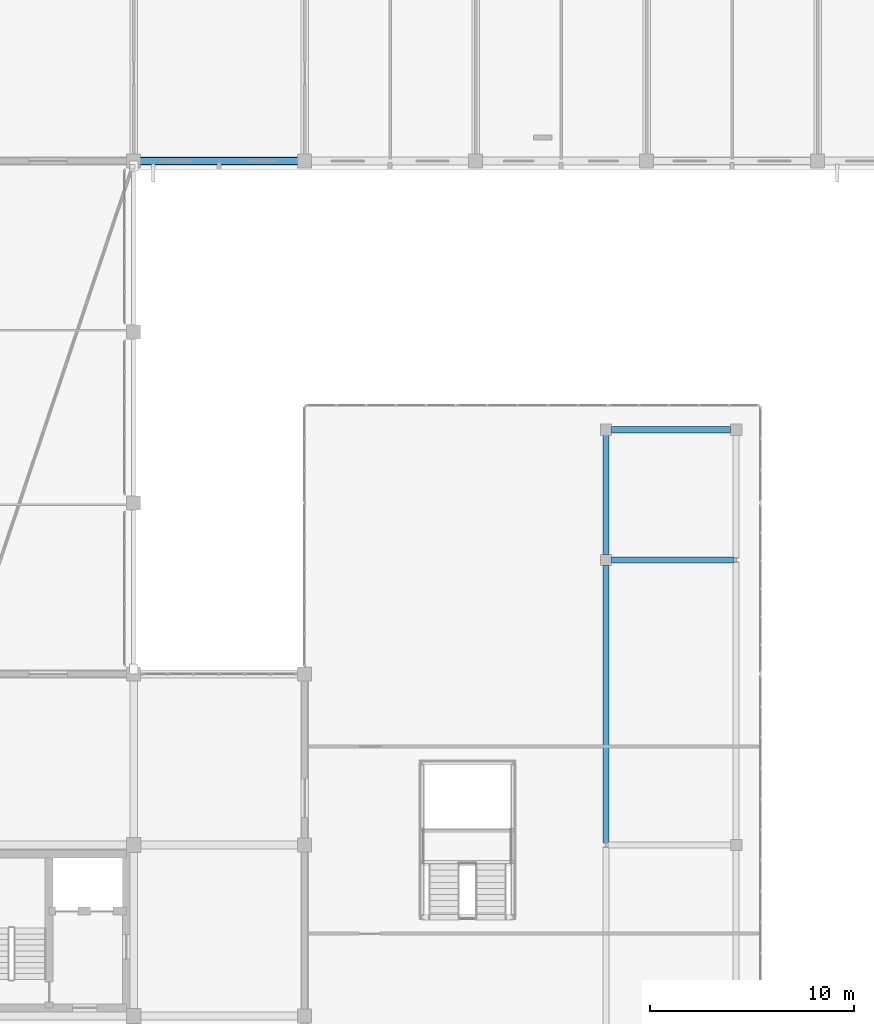
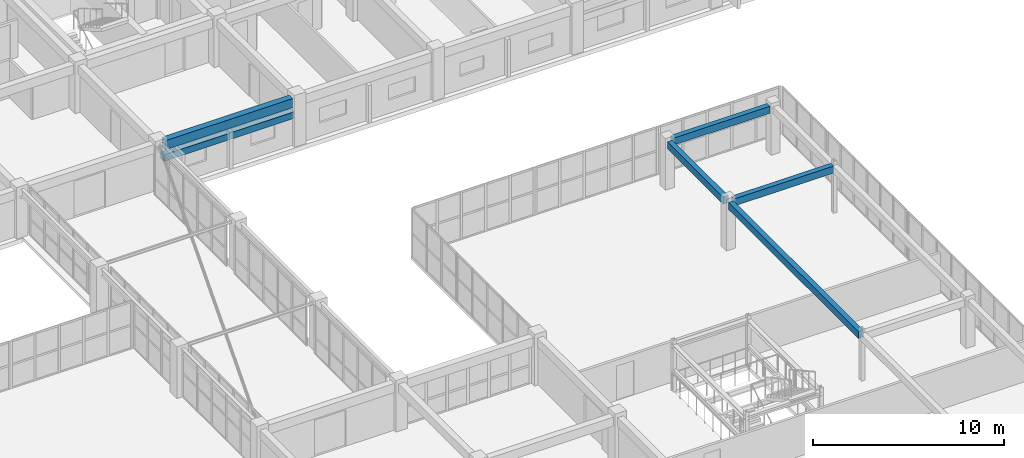
# One storey, part 74 of 148: 6 beams.
"""IFC4 building model written with IfcOpenShell, lengths in metres."""

from ifc_helpers import new_model, si_unit, direction, frame, origin, origin_2d, place, context, subcontext, project, spatial, rectangle, extrude, material, material_profile, profile_set, type_object, element, save


model = new_model("IFC4")

# Units and contexts
model_context = context("Model", 3, precision=1e-05, world=origin(), true_north=direction((0.0, 1.0)))
body_context = subcontext(model_context, "Body", "Model", "MODEL_VIEW")
ifc_project = project(units=[si_unit("LENGTHUNIT", "METRE"), si_unit("AREAUNIT", "SQUARE_METRE"), si_unit("VOLUMEUNIT", "CUBIC_METRE"), si_unit("PLANEANGLEUNIT", "RADIAN"), si_unit("MASSUNIT", "GRAM", prefix="KILO")], contexts=[model_context])

# Site, building, storey
site_placement = place(None, origin())
site = spatial("IfcSite", under=ifc_project, at=site_placement, CompositionType="ELEMENT")
building_placement = place(site_placement, origin())
building = spatial("IfcBuilding", under=site, at=building_placement, Name="Trelvath General Hospital", CompositionType="ELEMENT")
storey_placement = place(building_placement, frame((0.0, 0.0, 12.89990234375)))
storey = spatial("IfcBuildingStorey", under=building, at=storey_placement, Name="L03", CompositionType="ELEMENT", Elevation=12.89990234375)

# Beams
ifc_material_1 = material(Name="Concrete C35/45", Category="concrete")
ifc_material_profile_1 = material_profile(ifc_material_1, rectangle(XDim=0.300048828125, YDim=0.449951171875, at=origin_2d()), Name="RCB300x450")
ifc_profile_set_1 = profile_set([ifc_material_profile_1], Name="Concrete C35/45")
beam_type_1 = type_object("IfcBeamType", Name="Beam RC300x450", PredefinedType="BEAM", material=ifc_profile_set_1)
beam_1_placement = place(storey_placement, frame((107.470947265625, 72.800048828125, 2.835205078125), z_axis=(1.0, 0.0, 0.0), x_axis=(0.0, 1.0, 0.0)))
element("IfcBeam", 1, at=beam_1_placement, inside=storey, type_object=beam_type_1, Name="Cube Interior Ring Beam CUBE-E-T1 L03", PredefinedType="BEAM", context=body_context, shape_type="SweptSolid", body=[
    extrude(rectangle(XDim=0.300048828125, YDim=0.449951171875, at=origin_2d()), origin(), (0.0, 0.0, 1.0), 6.02294921875),
])
beam_2_placement = place(storey_placement, frame((107.470947265625, 79.199951171875, 2.835205078125), z_axis=(1.0, 0.0, 0.0), x_axis=(0.0, 1.0, 0.0)))
element("IfcBeam", 2, at=beam_2_placement, inside=storey, type_object=beam_type_1, Name="Cube Interior Ring Beam CUBE-E-T1 L03", PredefinedType="BEAM", context=body_context, shape_type="SweptSolid", body=[
    extrude(rectangle(XDim=0.300048828125, YDim=0.449951171875, at=origin_2d()), origin(), (0.0, 0.0, 1.0), 5.858154296875),
])
beam_3_placement = place(storey_placement, frame((107.199951171875, 58.906005859375, 2.835205078125), z_axis=(0.0, 1.0, 0.0), x_axis=(-1.0, 0.0, 0.0)))
element("IfcBeam", 3, at=beam_3_placement, inside=storey, type_object=beam_type_1, Name="Cube Interior Ring Beam CUBE-E-T1 L03", PredefinedType="BEAM", context=body_context, shape_type="SweptSolid", body=[
    extrude(rectangle(XDim=0.300048828125, YDim=0.449951171875, at=origin_2d()), origin(), (0.0, 0.0, 1.0), 13.623046875),
])
beam_4_placement = place(storey_placement, frame((107.199951171875, 73.071044921875, 2.835205078125), z_axis=(0.0, 1.0, 0.0), x_axis=(-1.0, 0.0, 0.0)))
element("IfcBeam", 4, at=beam_4_placement, inside=storey, type_object=beam_type_1, Name="Cube Interior Ring Beam CUBE-E-T1 L03", PredefinedType="BEAM", context=body_context, shape_type="SweptSolid", body=[
    extrude(rectangle(XDim=0.300048828125, YDim=0.449951171875, at=origin_2d()), origin(), (0.0, 0.0, 1.0), 5.85791015625),
])
ifc_material_2 = material(Name="Concrete C35/45", Category="concrete")
ifc_material_profile_2 = material_profile(ifc_material_2, rectangle(XDim=0.3798828125, YDim=0.580078125, at=origin_2d()), Name="RCB380x580")
ifc_profile_set_2 = profile_set([ifc_material_profile_2], Name="Concrete C35/45")
beam_type_2 = type_object("IfcBeamType", Name="Beam RC380x580", PredefinedType="BEAM", material=ifc_profile_set_2)
beam_5_placement = place(storey_placement, frame((84.344970703125, 92.39990234375, 2.72998046875), z_axis=(1.0, 0.0, 0.0), x_axis=(0.0, 1.0, 0.0)))
element("IfcBeam", 5, at=beam_5_placement, inside=storey, type_object=beam_type_2, Name="Grid Beam BX-310L", PredefinedType="BEAM", context=body_context, shape_type="SweptSolid", body=[
    extrude(rectangle(XDim=0.3798828125, YDim=0.580078125, at=origin_2d()), origin(), (0.0, 0.0, 1.0), 7.7099609375),
])
ifc_material_3 = material(Name="Precast concrete C40/50", Category="concrete")
ifc_material_profile_3 = material_profile(ifc_material_3, rectangle(XDim=0.35009765625, YDim=0.419921875, at=origin_2d()), Name="PCL350x420")
ifc_profile_set_3 = profile_set([ifc_material_profile_3], Name="Precast concrete C40/50")
beam_type_3 = type_object("IfcBeamType", Name="Lintel PC350x420", PredefinedType="LINTEL", material=ifc_profile_set_3)
beam_6_placement = place(storey_placement, frame((92.135009765625, 92.39990234375, 1.920166015625), z_axis=(-1.0, 0.0, 0.0), x_axis=(0.0, -1.0, 0.0)))
element("IfcBeam", 6, at=beam_6_placement, inside=storey, type_object=beam_type_3, Name="Precast Window Brow Lintel L03-394", PredefinedType="LINTEL", context=body_context, shape_type="SweptSolid", body=[
    extrude(rectangle(XDim=0.35009765625, YDim=0.419921875, at=origin_2d()), origin(), (0.0, 0.0, 1.0), 7.8701171875),
])

save(model, "model.ifc")
